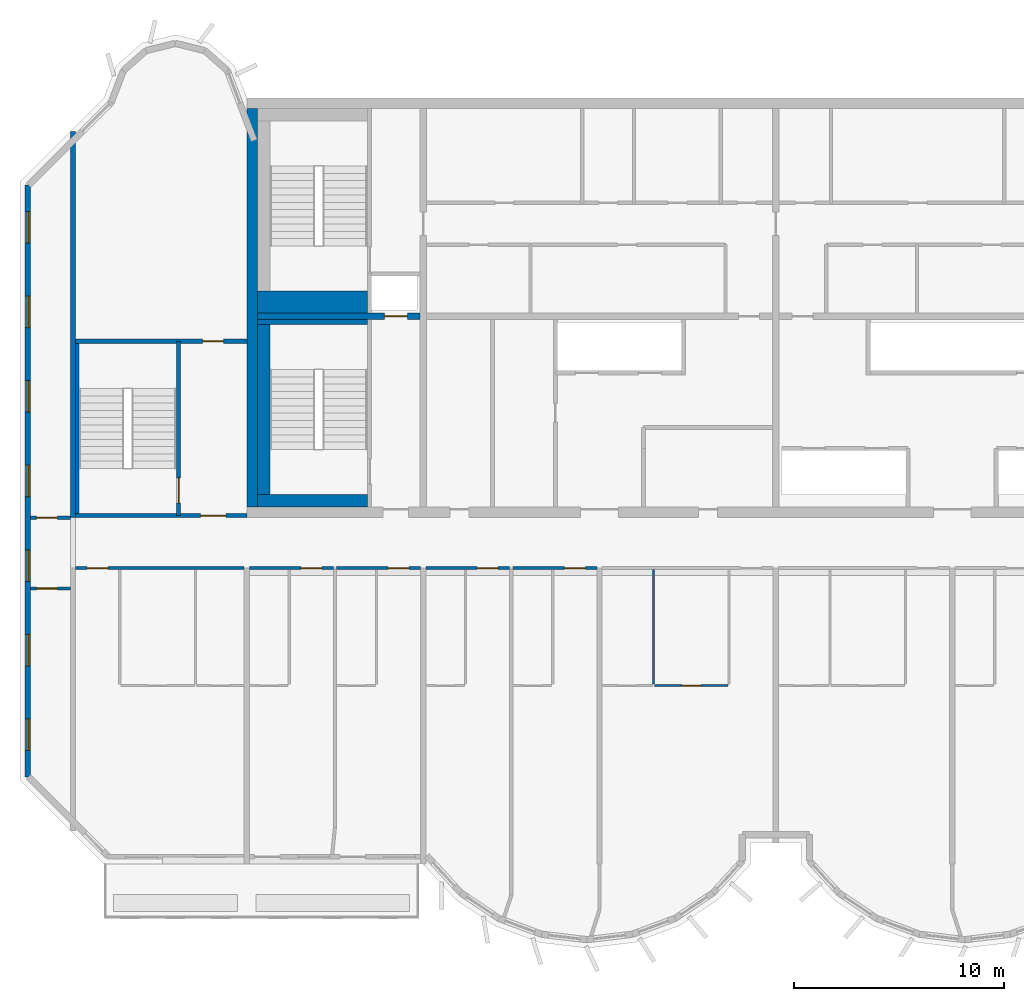
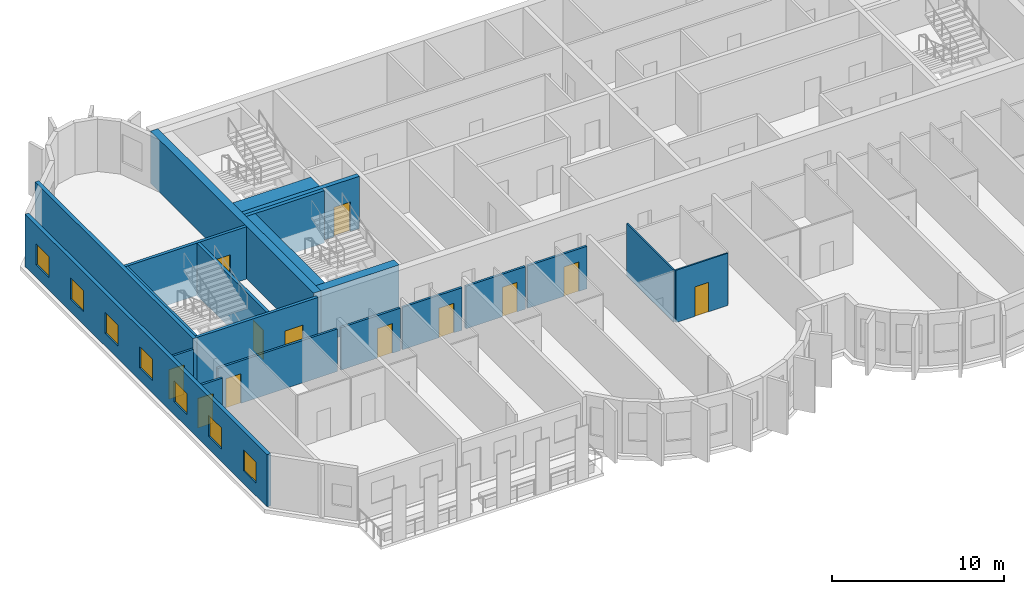
# One storey, part 3 of 12: 21 walls, 12 doors, 7 windows, 19 openings.
"""IFC4 building model written with IfcOpenShell, lengths in metres."""

from ifc_helpers import new_model, si_unit, direction, frame, frame_2d, origin, place, context, subcontext, project, spatial, rectangle, extrude, source, transform, mapped, material, layer, layer_set, type_object, element, fill, save


model = new_model("IFC4")

# Units and contexts
model_context = context("Model", 3, precision=1e-05, world=origin(), true_north=direction((0.0, 1.0)))
body_context = subcontext(model_context, "Body", "Model", "MODEL_VIEW")
ifc_project = project(units=[si_unit("LENGTHUNIT", "METRE"), si_unit("AREAUNIT", "SQUARE_METRE"), si_unit("VOLUMEUNIT", "CUBIC_METRE"), si_unit("PLANEANGLEUNIT", "RADIAN"), si_unit("MASSUNIT", "GRAM", prefix="KILO")], contexts=[model_context])

# Site, building, storey
site_placement = place(None, origin())
site = spatial("IfcSite", under=ifc_project, at=site_placement, CompositionType="ELEMENT")
building_placement = place(site_placement, origin())
building = spatial("IfcBuilding", under=site, at=building_placement, Name="Vanashikhar Sky Hotel", CompositionType="ELEMENT")
storey_placement = place(building_placement, frame((0.0, 0.0, 297.699951171875)))
storey = spatial("IfcBuildingStorey", under=building, at=storey_placement, Name="L71", CompositionType="ELEMENT", Elevation=297.699951171875)

# Wall
ifc_material_1 = material(Name="Concrete M50", Category="concrete")
ifc_layer_1 = layer(ifc_material_1, 0.5)
ifc_layer_set_1 = layer_set([ifc_layer_1], Name="RC core shell wall 500 Concrete M50")
wall_type_1 = type_object("IfcWallType", Name="RC core shell wall 500 Concrete M50", PredefinedType="SHEAR", material=ifc_layer_set_1)
shared_shape_1 = source(origin(), body_context, "Body", "SweptSolid", [
    extrude(rectangle(XDim=19.0, YDim=0.5, at=frame_2d((9.5, 0.0))), origin(), (0.0, 0.0, 1.0), 3.719970703125),
])
wall_1_placement = place(storey_placement, frame((25.449951171875, 22.5, 0.0), z_axis=(0.0, 0.0, 1.0), x_axis=(0.0, 1.0, 0.0)))
element("IfcWall", 1, at=wall_1_placement, inside=storey, type_object=wall_type_1, Name="KW-L71-KW", PredefinedType="SHEAR", context=body_context, shape_type="MappedRepresentation", body=[
    mapped(shared_shape_1, transform((0.0, 0.0, 0.0), scale=1.0)),
])

# Wall, opening, door
ifc_layer_2 = layer(ifc_material_1, 0.300048828125)
ifc_layer_set_2 = layer_set([ifc_layer_2], Name="RC core inner wall 300 Concrete M50")
wall_type_2 = type_object("IfcWallType", Name="RC core inner wall 300 Concrete M50", PredefinedType="SHEAR", material=ifc_layer_set_2)
shared_shape_2 = source(origin(), body_context, "Body", "SweptSolid", [
    extrude(rectangle(XDim=7.75, YDim=0.300048828125, at=frame_2d((3.875, 0.0))), origin(), (0.0, 0.0, 1.0), 3.719970703125),
])
wall_2_placement = place(storey_placement, frame((25.699951171875, 31.60009765625, 0.0), z_axis=(0.0, 0.0, 1.0), x_axis=(1.0, 0.0, 0.0)))
wall_2 = element("IfcWall", 2, at=wall_2_placement, inside=storey, type_object=wall_type_2, Name="KW-L71-KY1", PredefinedType="SHEAR", context=body_context, shape_type="MappedRepresentation", body=[
    mapped(shared_shape_2, transform((0.0, 0.0, 0.0), scale=1.0)),
])
shared_shape_3 = source(origin(), body_context, "Body", "SweptSolid", [
    extrude(rectangle(XDim=1.10009765625, YDim=2.10009765625, at=frame_2d((0.550048828125, 1.050048828125))), frame((0.0, 0.16015625, 0.0), z_axis=(0.0, -1.0, 0.0), x_axis=(1.0, 0.0, 0.0)), (0.0, 0.0, 1.0), 0.320068359375),
])
opening_1_placement = place(wall_2_placement, frame((6.050048828125, 0.0, 0.0)))
opening_1 = element("IfcOpeningElement", 3, at=opening_1_placement, cuts=wall_2, Name="Opening LD", PredefinedType="OPENING", context=body_context, shape_type="MappedRepresentation", body=[
    mapped(shared_shape_3, transform((0.0, 0.0, 0.0), scale=1.0)),
])
ifc_material_2 = material(Name="Stainless steel", Category="steel")
door_type_1 = type_object("IfcDoorType", Name="Lift landing door 1100", OperationType="NOTDEFINED", PredefinedType="DOOR", material=ifc_material_2)
shared_shape_4 = source(origin(), body_context, "Body", "SweptSolid", [
    extrude(rectangle(XDim=1.10009765625, YDim=2.10009765625, at=frame_2d((0.550048828125, 1.050048828125))), frame((0.0, 0.02490234375, 0.0), z_axis=(0.0, -1.0, 0.0), x_axis=(1.0, 0.0, 0.0)), (0.0, 0.0, 1.0), 0.050048828125),
])
door_1_placement = place(opening_1_placement, origin())
door_1 = element("IfcDoor", 4, at=door_1_placement, inside=storey, type_object=door_type_1, Name="Lift landing door 1100", OperationType="SLIDING_TO_LEFT", OverallHeight=2.10009765625, OverallWidth=1.10009765625, PredefinedType="DOOR", context=body_context, shape_type="MappedRepresentation", body=[
    mapped(shared_shape_4, transform((0.0, 0.0, 0.0), scale=1.0)),
])
fill(opening_1, door_1)

# Wall
ifc_layer_3 = layer(ifc_material_1, 0.25)
ifc_layer_set_3 = layer_set([ifc_layer_3], Name="RC shear wall 250 Concrete M50")
wall_type_3 = type_object("IfcWallType", Name="RC shear wall 250 Concrete M50", PredefinedType="SHEAR", material=ifc_layer_set_3)
shared_shape_5 = source(origin(), body_context, "Body", "SweptSolid", [
    extrude(rectangle(XDim=18.39990234375, YDim=0.25, at=frame_2d((9.199951171875, 0.0))), origin(), (0.0, 0.0, 1.0), 3.719970703125),
])
wall_3_placement = place(storey_placement, frame((16.925048828125, 22.0, 0.0), z_axis=(0.0, 0.0, 1.0), x_axis=(0.0, 1.0, 0.0)))
element("IfcWall", 5, at=wall_3_placement, inside=storey, type_object=wall_type_3, Name="CW-L71-XW03-2", PredefinedType="SHEAR", context=body_context, shape_type="MappedRepresentation", body=[
    mapped(shared_shape_5, transform((0.0, 0.0, 0.0), scale=1.0)),
])

# Wall, openings, windows
ifc_layer_4 = layer(ifc_material_1, 0.25)
ifc_layer_set_4 = layer_set([ifc_layer_4], Name="Rear and end board-marked wall 250")
wall_type_4 = type_object("IfcWallType", Name="Rear and end board-marked wall 250", PredefinedType="SOLIDWALL", material=ifc_layer_set_4)
shared_shape_6 = source(origin(), body_context, "Body", "SweptSolid", [
    extrude(rectangle(XDim=28.189453125, YDim=0.25, at=frame_2d((14.0947265625, 0.0))), origin(), (0.0, 0.0, 1.0), 3.719970703125),
])
wall_4_placement = place(storey_placement, frame((14.77490234375, 37.8447265625, 0.0), z_axis=(0.0, 0.0, 1.0), x_axis=(0.0, -1.0, 0.0)))
wall_4 = element("IfcWall", 6, at=wall_4_placement, inside=storey, type_object=wall_type_4, Name="End board-marked wall", PredefinedType="SOLIDWALL", context=body_context, shape_type="MappedRepresentation", body=[
    mapped(shared_shape_6, transform((0.0, 0.0, 0.0), scale=1.0)),
])
shared_shape_7 = source(origin(), body_context, "Body", "SweptSolid", [
    extrude(rectangle(XDim=1.5, YDim=1.5, at=frame_2d((0.75, 0.75))), frame((0.0, 0.135009765625, 0.0), z_axis=(0.0, -1.0, 0.0), x_axis=(1.0, 0.0, 0.0)), (0.0, 0.0, 1.0), 0.27001953125),
])
opening_2_placement = place(wall_4_placement, frame((1.263427734375, 0.0, 0.89990234375)))
opening_2 = element("IfcOpeningElement", 7, at=opening_2_placement, cuts=wall_4, Name="Opening WN-1", PredefinedType="OPENING", context=body_context, shape_type="MappedRepresentation", body=[
    mapped(shared_shape_7, transform((0.0, 0.0, 0.0), scale=1.0)),
])
opening_3_placement = place(wall_4_placement, frame((5.29052734375, 0.0, 0.89990234375)))
opening_3 = element("IfcOpeningElement", 8, at=opening_3_placement, cuts=wall_4, Name="Opening WN-1", PredefinedType="OPENING", context=body_context, shape_type="MappedRepresentation", body=[
    mapped(shared_shape_7, transform((0.0, 0.0, 0.0), scale=1.0)),
])
opening_4_placement = place(wall_4_placement, frame((9.317626953125, 0.0, 0.89990234375)))
opening_4 = element("IfcOpeningElement", 9, at=opening_4_placement, cuts=wall_4, Name="Opening WN-1", PredefinedType="OPENING", context=body_context, shape_type="MappedRepresentation", body=[
    mapped(shared_shape_7, transform((0.0, 0.0, 0.0), scale=1.0)),
])
opening_5_placement = place(wall_4_placement, frame((13.3447265625, 0.0, 0.89990234375)))
opening_5 = element("IfcOpeningElement", 10, at=opening_5_placement, cuts=wall_4, Name="Opening WN-1", PredefinedType="OPENING", context=body_context, shape_type="MappedRepresentation", body=[
    mapped(shared_shape_7, transform((0.0, 0.0, 0.0), scale=1.0)),
])
opening_6_placement = place(wall_4_placement, frame((17.371826171875, 0.0, 0.89990234375)))
opening_6 = element("IfcOpeningElement", 11, at=opening_6_placement, cuts=wall_4, Name="Opening WN-1", PredefinedType="OPENING", context=body_context, shape_type="MappedRepresentation", body=[
    mapped(shared_shape_7, transform((0.0, 0.0, 0.0), scale=1.0)),
])
opening_7_placement = place(wall_4_placement, frame((21.398681640625, 0.0, 0.89990234375)))
opening_7 = element("IfcOpeningElement", 12, at=opening_7_placement, cuts=wall_4, Name="Opening WN-1", PredefinedType="OPENING", context=body_context, shape_type="MappedRepresentation", body=[
    mapped(shared_shape_7, transform((0.0, 0.0, 0.0), scale=1.0)),
])
opening_8_placement = place(wall_4_placement, frame((25.42578125, 0.0, 0.89990234375)))
opening_8 = element("IfcOpeningElement", 13, at=opening_8_placement, cuts=wall_4, Name="Opening WN-1", PredefinedType="OPENING", context=body_context, shape_type="MappedRepresentation", body=[
    mapped(shared_shape_7, transform((0.0, 0.0, 0.0), scale=1.0)),
])
ifc_material_3 = material(Name="Glass", Category="glass")
window_type = type_object("IfcWindowType", Name="Window 1500 x 1500", PartitioningType="SINGLE_PANEL", PredefinedType="WINDOW", material=ifc_material_3)
shared_shape_8 = source(origin(), body_context, "Body", "SweptSolid", [
    extrude(rectangle(XDim=1.5, YDim=1.5, at=frame_2d((0.75, 0.75))), frame((0.0, 0.030029296875, 0.0), z_axis=(0.0, -1.0, 0.0), x_axis=(1.0, 0.0, 0.0)), (0.0, 0.0, 1.0), 0.06005859375),
])
window_1_placement = place(opening_2_placement, origin())
window_1 = element("IfcWindow", 14, at=window_1_placement, inside=storey, type_object=window_type, Name="Window WN-1", OverallHeight=1.5, OverallWidth=1.5, PartitioningType="SINGLE_PANEL", PredefinedType="WINDOW", context=body_context, shape_type="MappedRepresentation", body=[
    mapped(shared_shape_8, transform((0.0, 0.0, 0.0), scale=1.0)),
])
fill(opening_2, window_1)
window_2_placement = place(opening_3_placement, origin())
window_2 = element("IfcWindow", 15, at=window_2_placement, inside=storey, type_object=window_type, Name="Window WN-1", OverallHeight=1.5, OverallWidth=1.5, PartitioningType="SINGLE_PANEL", PredefinedType="WINDOW", context=body_context, shape_type="MappedRepresentation", body=[
    mapped(shared_shape_8, transform((0.0, 0.0, 0.0), scale=1.0)),
])
fill(opening_3, window_2)
window_3_placement = place(opening_4_placement, origin())
window_3 = element("IfcWindow", 16, at=window_3_placement, inside=storey, type_object=window_type, Name="Window WN-1", OverallHeight=1.5, OverallWidth=1.5, PartitioningType="SINGLE_PANEL", PredefinedType="WINDOW", context=body_context, shape_type="MappedRepresentation", body=[
    mapped(shared_shape_8, transform((0.0, 0.0, 0.0), scale=1.0)),
])
fill(opening_4, window_3)
window_4_placement = place(opening_5_placement, origin())
window_4 = element("IfcWindow", 17, at=window_4_placement, inside=storey, type_object=window_type, Name="Window WN-1", OverallHeight=1.5, OverallWidth=1.5, PartitioningType="SINGLE_PANEL", PredefinedType="WINDOW", context=body_context, shape_type="MappedRepresentation", body=[
    mapped(shared_shape_8, transform((0.0, 0.0, 0.0), scale=1.0)),
])
fill(opening_5, window_4)
window_5_placement = place(opening_6_placement, origin())
window_5 = element("IfcWindow", 18, at=window_5_placement, inside=storey, type_object=window_type, Name="Window WN-1", OverallHeight=1.5, OverallWidth=1.5, PartitioningType="SINGLE_PANEL", PredefinedType="WINDOW", context=body_context, shape_type="MappedRepresentation", body=[
    mapped(shared_shape_8, transform((0.0, 0.0, 0.0), scale=1.0)),
])
fill(opening_6, window_5)
window_6_placement = place(opening_7_placement, origin())
window_6 = element("IfcWindow", 19, at=window_6_placement, inside=storey, type_object=window_type, Name="Window WN-1", OverallHeight=1.5, OverallWidth=1.5, PartitioningType="SINGLE_PANEL", PredefinedType="WINDOW", context=body_context, shape_type="MappedRepresentation", body=[
    mapped(shared_shape_8, transform((0.0, 0.0, 0.0), scale=1.0)),
])
fill(opening_7, window_6)
window_7_placement = place(opening_8_placement, origin())
window_7 = element("IfcWindow", 20, at=window_7_placement, inside=storey, type_object=window_type, Name="Window WN-1", OverallHeight=1.5, OverallWidth=1.5, PartitioningType="SINGLE_PANEL", PredefinedType="WINDOW", context=body_context, shape_type="MappedRepresentation", body=[
    mapped(shared_shape_8, transform((0.0, 0.0, 0.0), scale=1.0)),
])
fill(opening_8, window_7)

# Wall, opening, door
ifc_layer_5 = layer(ifc_material_1, 0.199951171875)
ifc_layer_set_5 = layer_set([ifc_layer_5], Name="Stair wall 200")
wall_type_5 = type_object("IfcWallType", Name="Stair wall 200", PredefinedType="SOLIDWALL", material=ifc_layer_set_5)
shared_shape_9 = source(origin(), body_context, "Body", "SweptSolid", [
    extrude(rectangle(XDim=8.2998046875, YDim=0.199951171875, at=frame_2d((4.14990234375, 0.0))), origin(), (0.0, 0.0, 1.0), 3.719970703125),
])
wall_5_placement = place(storey_placement, frame((21.949951171875, 22.10009765625, 0.0), z_axis=(0.0, 0.0, 1.0), x_axis=(0.0, 1.0, 0.0)))
wall_5 = element("IfcWall", 21, at=wall_5_placement, inside=storey, type_object=wall_type_5, Name="Stair wall 200", PredefinedType="SOLIDWALL", context=body_context, shape_type="MappedRepresentation", body=[
    mapped(shared_shape_9, transform((0.0, 0.0, 0.0), scale=1.0)),
])
shared_shape_10 = source(origin(), body_context, "Body", "SweptSolid", [
    extrude(rectangle(XDim=1.199951171875, YDim=2.10009765625, at=frame_2d((0.60009765625, 1.050048828125))), frame((0.0, 0.10986328125, 0.0), z_axis=(0.0, -1.0, 0.0), x_axis=(1.0, 0.0, 0.0)), (0.0, 0.0, 1.0), 0.219970703125),
])
opening_9_placement = place(wall_5_placement, frame((0.60009765625, 0.0, 0.0)))
opening_9 = element("IfcOpeningElement", 22, at=opening_9_placement, cuts=wall_5, Name="Opening DC-1", PredefinedType="OPENING", context=body_context, shape_type="MappedRepresentation", body=[
    mapped(shared_shape_10, transform((0.0, 0.0, 0.0), scale=1.0)),
])
ifc_material_4 = material(Name="Steel", Category="steel")
door_type_2 = type_object("IfcDoorType", Name="Stair door 1200 FD120", OperationType="NOTDEFINED", PredefinedType="DOOR", material=ifc_material_4)
shared_shape_11 = source(origin(), body_context, "Body", "SweptSolid", [
    extrude(rectangle(XDim=1.199951171875, YDim=2.10009765625, at=frame_2d((0.60009765625, 1.050048828125))), frame((0.0, 0.02490234375, 0.0), z_axis=(0.0, -1.0, 0.0), x_axis=(1.0, 0.0, 0.0)), (0.0, 0.0, 1.0), 0.050048828125),
])
door_2_placement = place(opening_9_placement, origin())
door_2 = element("IfcDoor", 23, at=door_2_placement, inside=storey, type_object=door_type_2, Name="Stair door 1200 FD120", OperationType="SINGLE_SWING_LEFT", OverallHeight=2.10009765625, OverallWidth=1.199951171875, PredefinedType="DOOR", context=body_context, shape_type="MappedRepresentation", body=[
    mapped(shared_shape_11, transform((0.0, 0.0, 0.0), scale=1.0)),
])
fill(opening_9, door_2)

shared_shape_12 = source(origin(), body_context, "Body", "SweptSolid", [
    extrude(rectangle(XDim=8.14990234375, YDim=0.199951171875, at=frame_2d((4.074951171875, 0.0))), origin(), (0.0, 0.0, 1.0), 3.719970703125),
])
wall_6_placement = place(storey_placement, frame((17.050048828125, 22.10009765625, 0.0), z_axis=(0.0, 0.0, 1.0), x_axis=(1.0, 0.0, 0.0)))
wall_6 = element("IfcWall", 24, at=wall_6_placement, inside=storey, type_object=wall_type_5, Name="Stair wall 200", PredefinedType="SOLIDWALL", context=body_context, shape_type="MappedRepresentation", body=[
    mapped(shared_shape_12, transform((0.0, 0.0, 0.0), scale=1.0)),
])
opening_10_placement = place(wall_6_placement, frame((5.949951171875, 0.0, 0.0)))
opening_10 = element("IfcOpeningElement", 25, at=opening_10_placement, cuts=wall_6, Name="Opening DC-2", PredefinedType="OPENING", context=body_context, shape_type="MappedRepresentation", body=[
    mapped(shared_shape_10, transform((0.0, 0.0, 0.0), scale=1.0)),
])
door_type_3 = type_object("IfcDoorType", Name="Firefighting lobby door 1200 FD120", OperationType="NOTDEFINED", PredefinedType="DOOR", material=ifc_material_4)
door_3_placement = place(opening_10_placement, origin())
door_3 = element("IfcDoor", 26, at=door_3_placement, inside=storey, type_object=door_type_3, Name="Firefighting lobby door 1200 FD120", OperationType="SINGLE_SWING_RIGHT", OverallHeight=2.10009765625, OverallWidth=1.199951171875, PredefinedType="DOOR", context=body_context, shape_type="MappedRepresentation", body=[
    mapped(shared_shape_11, transform((0.0, 0.0, 0.0), scale=1.0)),
])
fill(opening_10, door_3)

wall_7_placement = place(storey_placement, frame((17.050048828125, 30.39990234375, 0.0), z_axis=(0.0, 0.0, 1.0), x_axis=(1.0, 0.0, 0.0)))
wall_7 = element("IfcWall", 27, at=wall_7_placement, inside=storey, type_object=wall_type_5, Name="Stair wall 200", PredefinedType="SOLIDWALL", context=body_context, shape_type="MappedRepresentation", body=[
    mapped(shared_shape_12, transform((0.0, 0.0, 0.0), scale=1.0)),
])
shared_shape_13 = source(origin(), body_context, "Body", "SweptSolid", [
    extrude(rectangle(XDim=1.0, YDim=2.10009765625, at=frame_2d((0.5, 1.050048828125))), frame((0.0, 0.10986328125, 0.0), z_axis=(0.0, -1.0, 0.0), x_axis=(1.0, 0.0, 0.0)), (0.0, 0.0, 1.0), 0.219970703125),
])
opening_11_placement = place(wall_7_placement, frame((6.050048828125, 0.0, 0.0)))
opening_11 = element("IfcOpeningElement", 28, at=opening_11_placement, cuts=wall_7, Name="Opening DC-6", PredefinedType="OPENING", context=body_context, shape_type="MappedRepresentation", body=[
    mapped(shared_shape_13, transform((0.0, 0.0, 0.0), scale=1.0)),
])
door_type_4 = type_object("IfcDoorType", Name="Pocket door 1000 FD60", OperationType="NOTDEFINED", PredefinedType="DOOR", material=ifc_material_4)
shared_shape_14 = source(origin(), body_context, "Body", "SweptSolid", [
    extrude(rectangle(XDim=1.0, YDim=2.10009765625, at=frame_2d((0.5, 1.050048828125))), frame((0.0, 0.02490234375, 0.0), z_axis=(0.0, -1.0, 0.0), x_axis=(1.0, 0.0, 0.0)), (0.0, 0.0, 1.0), 0.050048828125),
])
door_4_placement = place(opening_11_placement, origin())
door_4 = element("IfcDoor", 29, at=door_4_placement, inside=storey, type_object=door_type_4, Name="Pocket door 1000 FD60", OperationType="SINGLE_SWING_RIGHT", OverallHeight=2.10009765625, OverallWidth=1.0, PredefinedType="DOOR", context=body_context, shape_type="MappedRepresentation", body=[
    mapped(shared_shape_14, transform((0.0, 0.0, 0.0), scale=1.0)),
])
fill(opening_11, door_4)

# Walls
ifc_layer_6 = layer(ifc_material_1, 0.60009765625)
ifc_layer_set_6 = layer_set([ifc_layer_6], Name="Stair infill wall 600")
wall_type_6 = type_object("IfcWallType", Name="Stair infill wall 600", PredefinedType="SOLIDWALL", material=ifc_layer_set_6)
shared_shape_15 = source(origin(), body_context, "Body", "SweptSolid", [
    extrude(rectangle(XDim=5.25, YDim=0.60009765625, at=frame_2d((2.625, 0.0))), origin(), (0.0, 0.0, 1.0), 3.719970703125),
])
wall_8_placement = place(storey_placement, frame((25.699951171875, 22.800048828125, 0.0), z_axis=(0.0, 0.0, 1.0), x_axis=(1.0, 0.0, 0.0)))
element("IfcWall", 30, at=wall_8_placement, inside=storey, type_object=wall_type_6, Name="Stair infill wall 600", PredefinedType="SOLIDWALL", context=body_context, shape_type="MappedRepresentation", body=[
    mapped(shared_shape_15, transform((0.0, 0.0, 0.0), scale=1.0)),
])
ifc_layer_7 = layer(ifc_material_1, 0.25)
ifc_layer_set_7 = layer_set([ifc_layer_7], Name="Stair infill wall 250")
wall_type_7 = type_object("IfcWallType", Name="Stair infill wall 250", PredefinedType="SOLIDWALL", material=ifc_layer_set_7)
shared_shape_16 = source(origin(), body_context, "Body", "SweptSolid", [
    extrude(rectangle(XDim=5.25, YDim=0.25, at=frame_2d((2.625, 0.0))), origin(), (0.0, 0.0, 1.0), 3.719970703125),
])
wall_9_placement = place(storey_placement, frame((25.699951171875, 31.324951171875, 0.0), z_axis=(0.0, 0.0, 1.0), x_axis=(1.0, 0.0, 0.0)))
element("IfcWall", 31, at=wall_9_placement, inside=storey, type_object=wall_type_7, Name="Stair infill wall 250", PredefinedType="SOLIDWALL", context=body_context, shape_type="MappedRepresentation", body=[
    mapped(shared_shape_16, transform((0.0, 0.0, 0.0), scale=1.0)),
])
shared_shape_17 = source(origin(), body_context, "Body", "SweptSolid", [
    extrude(rectangle(XDim=8.099853515625, YDim=0.60009765625, at=frame_2d((4.0498046875, 0.0))), origin(), (0.0, 0.0, 1.0), 3.719970703125),
])
wall_10_placement = place(storey_placement, frame((26.0, 23.10009765625, 0.0), z_axis=(0.0, 0.0, 1.0), x_axis=(0.0, 1.0, 0.0)))
element("IfcWall", 32, at=wall_10_placement, inside=storey, type_object=wall_type_6, Name="Stair infill wall 600", PredefinedType="SOLIDWALL", context=body_context, shape_type="MappedRepresentation", body=[
    mapped(shared_shape_17, transform((0.0, 0.0, 0.0), scale=1.0)),
])
ifc_layer_8 = layer(ifc_material_1, 0.14990234375)
ifc_layer_set_8 = layer_set([ifc_layer_8], Name="Stair infill wall 150")
wall_type_8 = type_object("IfcWallType", Name="Stair infill wall 150", PredefinedType="SOLIDWALL", material=ifc_layer_set_8)
shared_shape_18 = source(origin(), body_context, "Body", "SweptSolid", [
    extrude(rectangle(XDim=8.10009765625, YDim=0.14990234375, at=frame_2d((4.050048828125, 0.0))), origin(), (0.0, 0.0, 1.0), 3.719970703125),
])
wall_11_placement = place(storey_placement, frame((17.125, 22.199951171875, 0.0), z_axis=(0.0, 0.0, 1.0), x_axis=(0.0, 1.0, 0.0)))
element("IfcWall", 33, at=wall_11_placement, inside=storey, type_object=wall_type_8, Name="Stair infill wall 150", PredefinedType="SOLIDWALL", context=body_context, shape_type="MappedRepresentation", body=[
    mapped(shared_shape_18, transform((0.0, 0.0, 0.0), scale=1.0)),
])
ifc_layer_9 = layer(ifc_material_1, 1.050048828125)
ifc_layer_set_9 = layer_set([ifc_layer_9], Name="Stair infill wall 1050")
wall_type_9 = type_object("IfcWallType", Name="Stair infill wall 1050", PredefinedType="SOLIDWALL", material=ifc_layer_set_9)
shared_shape_19 = source(origin(), body_context, "Body", "SweptSolid", [
    extrude(rectangle(XDim=5.25, YDim=1.050048828125, at=frame_2d((2.625, 0.0))), origin(), (0.0, 0.0, 1.0), 3.719970703125),
])
wall_12_placement = place(storey_placement, frame((25.699951171875, 32.27490234375, 0.0), z_axis=(0.0, 0.0, 1.0), x_axis=(1.0, 0.0, 0.0)))
element("IfcWall", 34, at=wall_12_placement, inside=storey, type_object=wall_type_9, Name="Stair infill wall 1050", PredefinedType="SOLIDWALL", context=body_context, shape_type="MappedRepresentation", body=[
    mapped(shared_shape_19, transform((0.0, 0.0, 0.0), scale=1.0)),
])

# Wall, opening, door
ifc_material_5 = material(Name="Gypsum plasterboard partition")
ifc_layer_10 = layer(ifc_material_5, 0.10009765625)
ifc_layer_set_10 = layer_set([ifc_layer_10], Name="Wet room partition 100")
wall_type_10 = type_object("IfcWallType", Name="Wet room partition 100", PredefinedType="PARTITIONING", material=ifc_layer_set_10)
shared_shape_20 = source(origin(), body_context, "Body", "SweptSolid", [
    extrude(rectangle(XDim=3.5, YDim=0.10009765625, at=frame_2d((1.75, 0.0))), origin(), (0.0, 0.0, 1.0), 3.719970703125),
])
wall_13_placement = place(storey_placement, frame((44.625, 14.0, 0.0), z_axis=(0.0, 0.0, 1.0), x_axis=(1.0, 0.0, 0.0)))
wall_13 = element("IfcWall", 35, at=wall_13_placement, inside=storey, type_object=wall_type_10, Name="W-L71-PW022", PredefinedType="PARTITIONING", context=body_context, shape_type="MappedRepresentation", body=[
    mapped(shared_shape_20, transform((0.0, 0.0, 0.0), scale=1.0)),
])
shared_shape_21 = source(origin(), body_context, "Body", "SweptSolid", [
    extrude(rectangle(XDim=0.89990234375, YDim=2.10009765625, at=frame_2d((0.449951171875, 1.050048828125))), frame((0.0, 0.06005859375, 0.0), z_axis=(0.0, -1.0, 0.0), x_axis=(1.0, 0.0, 0.0)), (0.0, 0.0, 1.0), 0.1201171875),
])
opening_12_placement = place(wall_13_placement, frame((1.300048828125, 0.0, 0.0)))
opening_12 = element("IfcOpeningElement", 36, at=opening_12_placement, cuts=wall_13, Name="Opening D-02", PredefinedType="OPENING", context=body_context, shape_type="MappedRepresentation", body=[
    mapped(shared_shape_21, transform((0.0, 0.0, 0.0), scale=1.0)),
])
ifc_material_6 = material(Name="Timber door", Category="wood")
door_type_5 = type_object("IfcDoorType", Name="Internal door 900", OperationType="NOTDEFINED", PredefinedType="DOOR", material=ifc_material_6)
shared_shape_22 = source(origin(), body_context, "Body", "SweptSolid", [
    extrude(rectangle(XDim=0.89990234375, YDim=2.10009765625, at=frame_2d((0.449951171875, 1.050048828125))), frame((0.0, 0.02490234375, 0.0), z_axis=(0.0, -1.0, 0.0), x_axis=(1.0, 0.0, 0.0)), (0.0, 0.0, 1.0), 0.050048828125),
])
door_5_placement = place(opening_12_placement, origin())
door_5 = element("IfcDoor", 37, at=door_5_placement, inside=storey, type_object=door_type_5, Name="D-L71-012", OperationType="SINGLE_SWING_RIGHT", OverallHeight=2.10009765625, OverallWidth=0.89990234375, PredefinedType="DOOR", context=body_context, shape_type="MappedRepresentation", body=[
    mapped(shared_shape_22, transform((0.0, 0.0, 0.0), scale=1.0)),
])
fill(opening_12, door_5)

ifc_layer_11 = layer(ifc_material_5, 0.14990234375)
ifc_layer_set_11 = layer_set([ifc_layer_11], Name="Corridor and demising partition 150")
wall_type_11 = type_object("IfcWallType", Name="Corridor and demising partition 150", PredefinedType="PARTITIONING", material=ifc_layer_set_11)
shared_shape_23 = source(origin(), body_context, "Body", "SweptSolid", [
    extrude(rectangle(XDim=8.02490234375, YDim=0.14990234375, at=frame_2d((4.012451171875, 0.0))), origin(), (0.0, 0.0, 1.0), 3.02001953125),
])
wall_14_placement = place(storey_placement, frame((17.050048828125, 19.60009765625, 0.0), z_axis=(0.0, 0.0, 1.0), x_axis=(1.0, 0.0, 0.0)))
wall_14 = element("IfcWall", 38, at=wall_14_placement, inside=storey, type_object=wall_type_11, Name="W-L71-PW005", PredefinedType="PARTITIONING", context=body_context, shape_type="MappedRepresentation", body=[
    mapped(shared_shape_23, transform((0.0, 0.0, 0.0), scale=1.0)),
])
shared_shape_24 = source(origin(), body_context, "Body", "SweptSolid", [
    extrude(rectangle(XDim=1.0, YDim=2.10009765625, at=frame_2d((0.5, 1.050048828125))), frame((0.0, 0.0849609375, 0.0), z_axis=(0.0, -1.0, 0.0), x_axis=(1.0, 0.0, 0.0)), (0.0, 0.0, 1.0), 0.169921875),
])
opening_13_placement = place(wall_14_placement, frame((0.550048828125, 0.0, 0.0)))
opening_13 = element("IfcOpeningElement", 39, at=opening_13_placement, cuts=wall_14, Name="Opening D-01", PredefinedType="OPENING", context=body_context, shape_type="MappedRepresentation", body=[
    mapped(shared_shape_24, transform((0.0, 0.0, 0.0), scale=1.0)),
])
ifc_material_7 = material(Name="Timber fire door", Category="wood")
door_type_6 = type_object("IfcDoorType", Name="Guest entry door 1000 FD30S", OperationType="NOTDEFINED", PredefinedType="DOOR", material=ifc_material_7)
door_6_placement = place(opening_13_placement, origin())
door_6 = element("IfcDoor", 40, at=door_6_placement, inside=storey, type_object=door_type_6, Name="D-L71-003", OperationType="SINGLE_SWING_LEFT", OverallHeight=2.10009765625, OverallWidth=1.0, PredefinedType="DOOR", context=body_context, shape_type="MappedRepresentation", body=[
    mapped(shared_shape_14, transform((0.0, 0.0, 0.0), scale=1.0)),
])
fill(opening_13, door_6)

shared_shape_25 = source(origin(), body_context, "Body", "SweptSolid", [
    extrude(rectangle(XDim=1.900146484375, YDim=0.14990234375, at=frame_2d((0.9501953125, 0.0))), origin(), (0.0, 0.0, 1.0), 3.02001953125),
])
wall_15_placement = place(storey_placement, frame((14.89990234375, 22.0, 0.0), z_axis=(0.0, 0.0, 1.0), x_axis=(1.0, 0.0, 0.0)))
wall_15 = element("IfcWall", 41, at=wall_15_placement, inside=storey, type_object=wall_type_11, Name="W-L71-PW049", PredefinedType="PARTITIONING", context=body_context, shape_type="MappedRepresentation", body=[
    mapped(shared_shape_25, transform((0.0, 0.0, 0.0), scale=1.0)),
])
opening_14_placement = place(wall_15_placement, frame((0.27490234375, 0.0, 0.0)))
opening_14 = element("IfcOpeningElement", 42, at=opening_14_placement, cuts=wall_15, Name="Opening D-01", PredefinedType="OPENING", context=body_context, shape_type="MappedRepresentation", body=[
    mapped(shared_shape_24, transform((0.0, 0.0, 0.0), scale=1.0)),
])
door_7_placement = place(opening_14_placement, origin())
door_7 = element("IfcDoor", 43, at=door_7_placement, inside=storey, type_object=door_type_6, Name="D-L71-028", OperationType="SINGLE_SWING_LEFT", OverallHeight=2.10009765625, OverallWidth=1.0, PredefinedType="DOOR", context=body_context, shape_type="MappedRepresentation", body=[
    mapped(shared_shape_14, transform((0.0, 0.0, 0.0), scale=1.0)),
])
fill(opening_14, door_7)

wall_16_placement = place(storey_placement, frame((14.89990234375, 18.6279296875, 0.0), z_axis=(0.0, 0.0, 1.0), x_axis=(1.0, 0.0, 0.0)))
wall_16 = element("IfcWall", 44, at=wall_16_placement, inside=storey, type_object=wall_type_11, Name="W-L71-PW051", PredefinedType="PARTITIONING", context=body_context, shape_type="MappedRepresentation", body=[
    mapped(shared_shape_25, transform((0.0, 0.0, 0.0), scale=1.0)),
])
opening_15_placement = place(wall_16_placement, frame((0.27490234375, 0.0, 0.0)))
opening_15 = element("IfcOpeningElement", 45, at=opening_15_placement, cuts=wall_16, Name="Opening D-01", PredefinedType="OPENING", context=body_context, shape_type="MappedRepresentation", body=[
    mapped(shared_shape_24, transform((0.0, 0.0, 0.0), scale=1.0)),
])
door_8_placement = place(opening_15_placement, origin())
door_8 = element("IfcDoor", 46, at=door_8_placement, inside=storey, type_object=door_type_6, Name="D-L71-030", OperationType="SINGLE_SWING_LEFT", OverallHeight=2.10009765625, OverallWidth=1.0, PredefinedType="DOOR", context=body_context, shape_type="MappedRepresentation", body=[
    mapped(shared_shape_14, transform((0.0, 0.0, 0.0), scale=1.0)),
])
fill(opening_15, door_8)

# Wall
shared_shape_26 = source(origin(), body_context, "Body", "SweptSolid", [
    extrude(rectangle(XDim=5.449951171875, YDim=0.10009765625, at=frame_2d((2.72509765625, 0.0))), origin(), (0.0, 0.0, 1.0), 3.719970703125),
])
wall_17_placement = place(storey_placement, frame((44.574951171875, 14.074951171875, 0.0), z_axis=(0.0, 0.0, 1.0), x_axis=(0.0, 1.0, 0.0)))
element("IfcWall", 47, at=wall_17_placement, inside=storey, type_object=wall_type_10, Name="W-L71-PW021", PredefinedType="PARTITIONING", context=body_context, shape_type="MappedRepresentation", body=[
    mapped(shared_shape_26, transform((0.0, 0.0, 0.0), scale=1.0)),
])

# Wall, opening, door
shared_shape_27 = source(origin(), body_context, "Body", "SweptSolid", [
    extrude(rectangle(XDim=4.0, YDim=0.14990234375, at=frame_2d((2.0, 0.0))), origin(), (0.0, 0.0, 1.0), 3.02001953125),
])
wall_18_placement = place(storey_placement, frame((25.324951171875, 19.60009765625, 0.0), z_axis=(0.0, 0.0, 1.0), x_axis=(1.0, 0.0, 0.0)))
wall_18 = element("IfcWall", 48, at=wall_18_placement, inside=storey, type_object=wall_type_11, Name="W-L71-PW008", PredefinedType="PARTITIONING", context=body_context, shape_type="MappedRepresentation", body=[
    mapped(shared_shape_27, transform((0.0, 0.0, 0.0), scale=1.0)),
])
opening_16_placement = place(wall_18_placement, frame((2.449951171875, 0.0, 0.0)))
opening_16 = element("IfcOpeningElement", 49, at=opening_16_placement, cuts=wall_18, Name="Opening D-01", PredefinedType="OPENING", context=body_context, shape_type="MappedRepresentation", body=[
    mapped(shared_shape_24, transform((0.0, 0.0, 0.0), scale=1.0)),
])
door_9_placement = place(opening_16_placement, origin())
door_9 = element("IfcDoor", 50, at=door_9_placement, inside=storey, type_object=door_type_6, Name="D-L71-005", OperationType="SINGLE_SWING_RIGHT", OverallHeight=2.10009765625, OverallWidth=1.0, PredefinedType="DOOR", context=body_context, shape_type="MappedRepresentation", body=[
    mapped(shared_shape_14, transform((0.0, 0.0, 0.0), scale=1.0)),
])
fill(opening_16, door_9)

wall_19_placement = place(storey_placement, frame((29.47509765625, 19.60009765625, 0.0), z_axis=(0.0, 0.0, 1.0), x_axis=(1.0, 0.0, 0.0)))
wall_19 = element("IfcWall", 51, at=wall_19_placement, inside=storey, type_object=wall_type_11, Name="W-L71-PW011", PredefinedType="PARTITIONING", context=body_context, shape_type="MappedRepresentation", body=[
    mapped(shared_shape_27, transform((0.0, 0.0, 0.0), scale=1.0)),
])
opening_17_placement = place(wall_19_placement, frame((2.449951171875, 0.0, 0.0)))
opening_17 = element("IfcOpeningElement", 52, at=opening_17_placement, cuts=wall_19, Name="Opening D-01", PredefinedType="OPENING", context=body_context, shape_type="MappedRepresentation", body=[
    mapped(shared_shape_24, transform((0.0, 0.0, 0.0), scale=1.0)),
])
door_10_placement = place(opening_17_placement, origin())
door_10 = element("IfcDoor", 53, at=door_10_placement, inside=storey, type_object=door_type_6, Name="D-L71-007", OperationType="SINGLE_SWING_RIGHT", OverallHeight=2.10009765625, OverallWidth=1.0, PredefinedType="DOOR", context=body_context, shape_type="MappedRepresentation", body=[
    mapped(shared_shape_14, transform((0.0, 0.0, 0.0), scale=1.0)),
])
fill(opening_17, door_10)

wall_20_placement = place(storey_placement, frame((33.72509765625, 19.60009765625, 0.0), z_axis=(0.0, 0.0, 1.0), x_axis=(1.0, 0.0, 0.0)))
wall_20 = element("IfcWall", 54, at=wall_20_placement, inside=storey, type_object=wall_type_11, Name="W-L71-PW015", PredefinedType="PARTITIONING", context=body_context, shape_type="MappedRepresentation", body=[
    mapped(shared_shape_27, transform((0.0, 0.0, 0.0), scale=1.0)),
])
opening_18_placement = place(wall_20_placement, frame((2.449951171875, 0.0, 0.0)))
opening_18 = element("IfcOpeningElement", 55, at=opening_18_placement, cuts=wall_20, Name="Opening D-01", PredefinedType="OPENING", context=body_context, shape_type="MappedRepresentation", body=[
    mapped(shared_shape_24, transform((0.0, 0.0, 0.0), scale=1.0)),
])
door_11_placement = place(opening_18_placement, origin())
door_11 = element("IfcDoor", 56, at=door_11_placement, inside=storey, type_object=door_type_6, Name="D-L71-009", OperationType="SINGLE_SWING_RIGHT", OverallHeight=2.10009765625, OverallWidth=1.0, PredefinedType="DOOR", context=body_context, shape_type="MappedRepresentation", body=[
    mapped(shared_shape_14, transform((0.0, 0.0, 0.0), scale=1.0)),
])
fill(opening_18, door_11)

wall_21_placement = place(storey_placement, frame((37.875, 19.60009765625, 0.0), z_axis=(0.0, 0.0, 1.0), x_axis=(1.0, 0.0, 0.0)))
wall_21 = element("IfcWall", 57, at=wall_21_placement, inside=storey, type_object=wall_type_11, Name="W-L71-PW018", PredefinedType="PARTITIONING", context=body_context, shape_type="MappedRepresentation", body=[
    mapped(shared_shape_27, transform((0.0, 0.0, 0.0), scale=1.0)),
])
opening_19_placement = place(wall_21_placement, frame((2.449951171875, 0.0, 0.0)))
opening_19 = element("IfcOpeningElement", 58, at=opening_19_placement, cuts=wall_21, Name="Opening D-01", PredefinedType="OPENING", context=body_context, shape_type="MappedRepresentation", body=[
    mapped(shared_shape_24, transform((0.0, 0.0, 0.0), scale=1.0)),
])
door_12_placement = place(opening_19_placement, origin())
door_12 = element("IfcDoor", 59, at=door_12_placement, inside=storey, type_object=door_type_6, Name="D-L71-011", OperationType="SINGLE_SWING_RIGHT", OverallHeight=2.10009765625, OverallWidth=1.0, PredefinedType="DOOR", context=body_context, shape_type="MappedRepresentation", body=[
    mapped(shared_shape_14, transform((0.0, 0.0, 0.0), scale=1.0)),
])
fill(opening_19, door_12)

save(model, "model.ifc")
